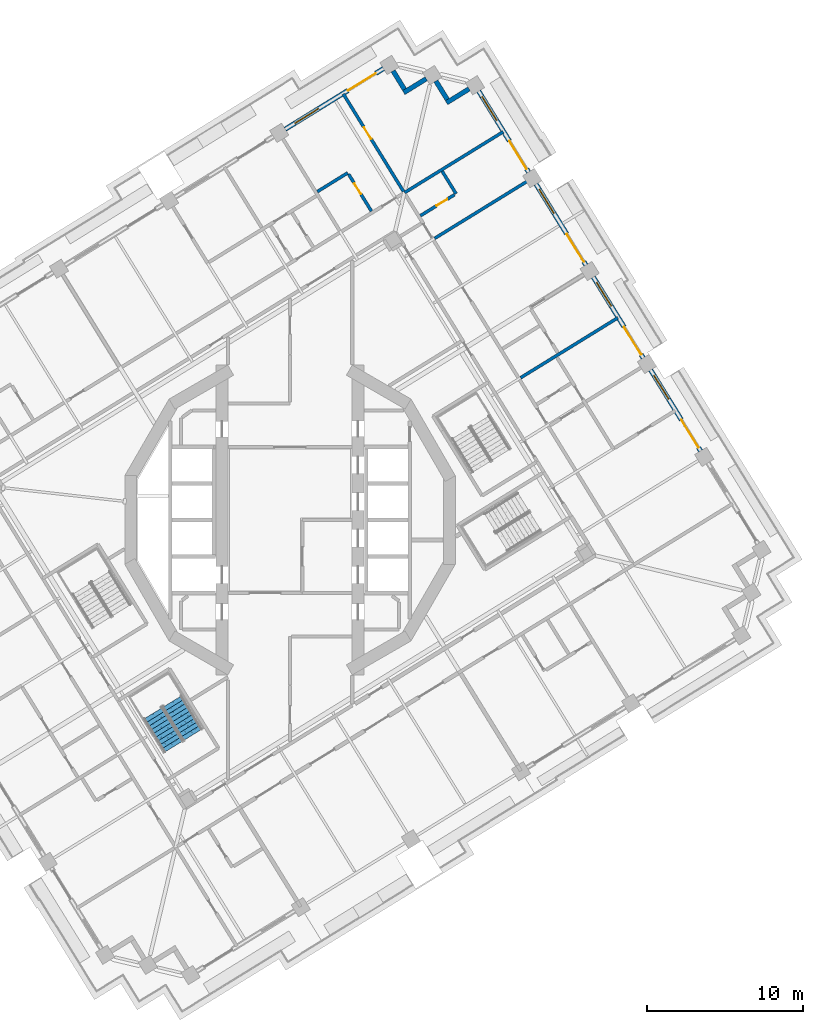
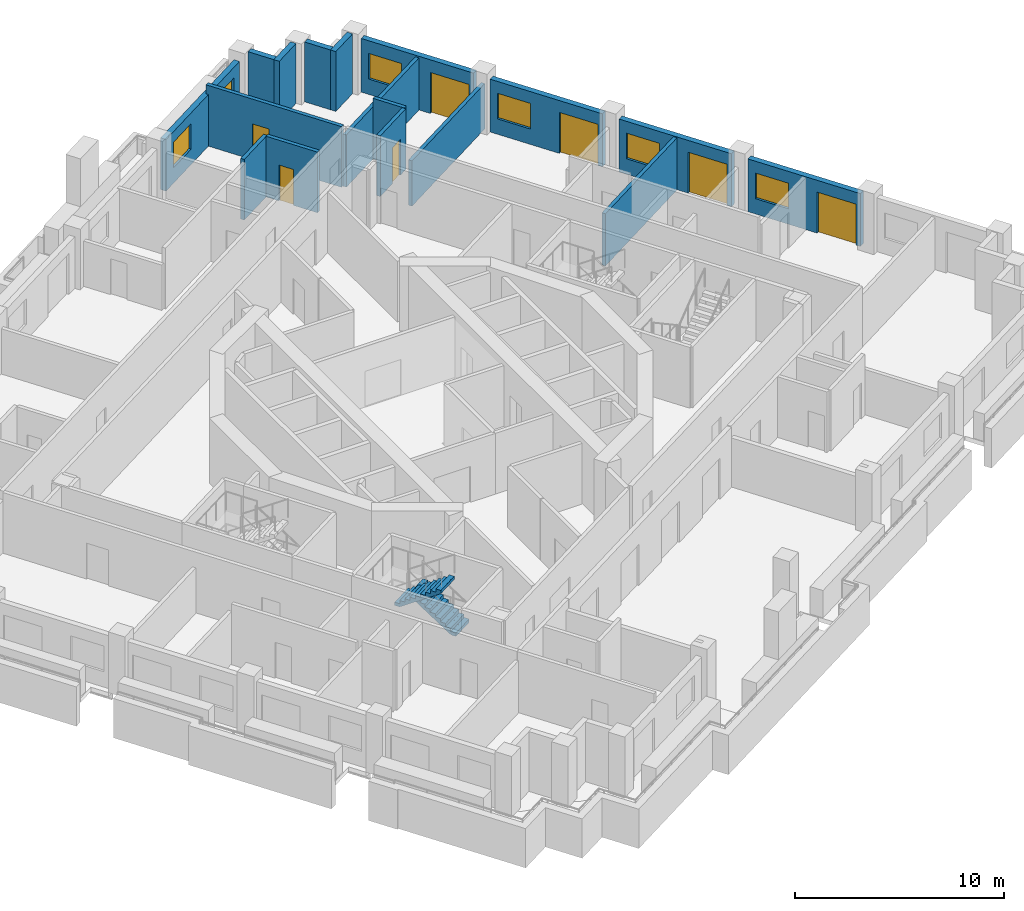
# One storey, part 10 of 21: 17 walls, 8 doors, 5 windows, 2 stair flights, 13 openings, 1 element without a shape of its own.
"""IFC4 building model written with IfcOpenShell, lengths in metres."""

from ifc_helpers import new_model, si_unit, direction, frame, frame_2d, origin, place, context, subcontext, project, spatial, polyline, rectangle, outline, extrude, material, layer, layer_set, type_object, element, fill, aggregate, save


model = new_model("IFC4")

# Units and contexts
model_context = context("Model", 3, precision=1e-05, world=origin(), true_north=direction((0.0, 1.0)))
body_context = subcontext(model_context, "Body", "Model", "MODEL_VIEW")
ifc_project = project(units=[si_unit("LENGTHUNIT", "METRE"), si_unit("AREAUNIT", "SQUARE_METRE"), si_unit("VOLUMEUNIT", "CUBIC_METRE"), si_unit("PLANEANGLEUNIT", "RADIAN"), si_unit("MASSUNIT", "GRAM", prefix="KILO")], contexts=[model_context])

# Site, building, storey
site_placement = place(None, origin())
site = spatial("IfcSite", under=ifc_project, at=site_placement, CompositionType="ELEMENT")
building_placement = place(site_placement, origin())
building = spatial("IfcBuilding", under=site, at=building_placement, Name="Cantera Rosa Tower", CompositionType="ELEMENT")
storey_placement = place(building_placement, frame((0.0, 0.0, 170.39990234375)))
storey = spatial("IfcBuildingStorey", under=building, at=storey_placement, Name="L37", CompositionType="ELEMENT", Elevation=170.39990234375)

# Walls
ifc_material_1 = material(Name="Hollow clay masonry with cantera stone cladding", Category="masonry")
ifc_layer_1 = layer(ifc_material_1, 0.300048828125)
ifc_layer_set_1 = layer_set([ifc_layer_1], Name="EW-LOGGIA 300")
wall_type_1 = type_object("IfcWallType", Name="EW-LOGGIA 300", PredefinedType="SOLIDWALL", material=ifc_layer_set_1)
wall_1_placement = place(storey_placement, frame((11.51123046875, 27.72021484375, 0.0), z_axis=(0.0, 0.0, 1.0), x_axis=(-0.851130227454, -0.524954603669, 0.0)))
element("IfcWall", 1, at=wall_1_placement, inside=storey, type_object=wall_type_1, Name="EN-L37-W06a", PredefinedType="SOLIDWALL", context=body_context, shape_type="SweptSolid", body=[
    extrude(rectangle(XDim=1.699951171875, YDim=0.300048828125, at=frame_2d((0.85009765625, 0.0))), origin(), (0.0, 0.0, 1.0), 3.5),
])
wall_2_placement = place(storey_placement, frame((10.11328125, 27.0341796875, 0.0), z_axis=(0.0, 0.0, 1.0), x_axis=(-0.524895019961, 0.85116697423, 0.0)))
element("IfcWall", 2, at=wall_2_placement, inside=storey, type_object=wall_type_1, Name="EN-L37-W06b", PredefinedType="SOLIDWALL", context=body_context, shape_type="SweptSolid", body=[
    extrude(rectangle(XDim=1.39990234375, YDim=0.300048828125, at=frame_2d((0.699951171875, 0.0))), origin(), (0.0, 0.0, 1.0), 3.5),
])
wall_3_placement = place(storey_placement, frame((8.75927734375, 28.37255859375, 0.0), z_axis=(0.0, 0.0, 1.0), x_axis=(-0.851105638601, -0.524994468487, 0.0)))
element("IfcWall", 3, at=wall_3_placement, inside=storey, type_object=wall_type_1, Name="EN-L37-W07a", PredefinedType="SOLIDWALL", context=body_context, shape_type="SweptSolid", body=[
    extrude(rectangle(XDim=1.7001953125, YDim=0.300048828125, at=frame_2d((0.85009765625, 0.0))), origin(), (0.0, 0.0, 1.0), 3.5),
])
wall_4_placement = place(storey_placement, frame((7.361083984375, 27.6865234375, 0.0), z_axis=(0.0, 0.0, 1.0), x_axis=(-0.524895019961, 0.85116697423, 0.0)))
element("IfcWall", 4, at=wall_4_placement, inside=storey, type_object=wall_type_1, Name="EN-L37-W07b", PredefinedType="SOLIDWALL", context=body_context, shape_type="SweptSolid", body=[
    extrude(rectangle(XDim=1.39990234375, YDim=0.300048828125, at=frame_2d((0.699951171875, 0.0))), origin(), (0.0, 0.0, 1.0), 3.5),
])

# Wall, openings, window, door
ifc_material_2 = material(Name="Hollow clay masonry with cantera stone cladding", Category="masonry")
ifc_layer_2 = layer(ifc_material_2, 0.300048828125)
ifc_layer_set_2 = layer_set([ifc_layer_2], Name="EW-LOGGIA 300 H3020")
wall_type_2 = type_object("IfcWallType", Name="EW-LOGGIA 300 H3020", PredefinedType="SOLIDWALL", material=ifc_layer_set_2)
wall_5_placement = place(storey_placement, frame((6.007080078125, 29.02490234375, 0.0), z_axis=(0.0, 0.0, 1.0), x_axis=(-0.851111085575, -0.524985637909, 0.0)))
wall_5 = element("IfcWall", 5, at=wall_5_placement, inside=storey, type_object=wall_type_2, Name="EN-L37-W08", PredefinedType="SOLIDWALL", context=body_context, shape_type="SweptSolid", body=[
    extrude(rectangle(XDim=7.420166015625, YDim=0.300048828125, at=frame_2d((3.7099609375, 0.0))), origin(), (0.0, 0.0, 1.0), 3.02001953125),
])
opening_1_placement = place(wall_5_placement, frame((0.580078125, 0.0, 0.0)))
opening_1 = element("IfcOpeningElement", 6, at=opening_1_placement, cuts=wall_5, Name="Opening L37-TD11", PredefinedType="OPENING", context=body_context, shape_type="SweptSolid", body=[
    extrude(rectangle(XDim=2.10009765625, YDim=2.39990234375, at=frame_2d((1.050048828125, 1.199951171875))), frame((0.0, 0.159912109375, 0.0), z_axis=(0.0, -1.0, 0.0), x_axis=(1.0, 0.0, 0.0)), (0.0, 0.0, 1.0), 0.320068359375),
])
opening_2_placement = place(wall_5_placement, frame((4.889892578125, 0.0, 0.89990234375)))
opening_2 = element("IfcOpeningElement", 7, at=opening_2_placement, cuts=wall_5, Name="Opening L37-W12", PredefinedType="OPENING", context=body_context, shape_type="SweptSolid", body=[
    extrude(rectangle(XDim=1.800048828125, YDim=1.5, at=frame_2d((0.89990234375, 0.75))), frame((0.0, 0.159912109375, 0.0), z_axis=(0.0, -1.0, 0.0), x_axis=(1.0, 0.0, 0.0)), (0.0, 0.0, 1.0), 0.320068359375),
])
ifc_material_3 = material(Name="Aluminium frame with clear glass", Category="aluminium")
window_type = type_object("IfcWindowType", Name="Hotel room window 1800x1500", PartitioningType="DOUBLE_PANEL_VERTICAL", PredefinedType="WINDOW", material=ifc_material_3)
window_1_placement = place(opening_2_placement, origin())
window_1 = element("IfcWindow", 8, at=window_1_placement, inside=storey, type_object=window_type, Name="WINDOW L37-W12", OverallHeight=1.5, OverallWidth=1.800048828125, PartitioningType="SINGLE_PANEL", PredefinedType="WINDOW", context=body_context, shape_type="SweptSolid", body=[
    extrude(rectangle(XDim=1.800048828125, YDim=1.5, at=frame_2d((0.89990234375, 0.75))), frame((0.0, 0.030029296875, 0.0), z_axis=(0.0, -1.0, 0.0), x_axis=(1.0, 0.0, 0.0)), (0.0, 0.0, 1.0), 0.06005859375),
])
fill(opening_2, window_1)
ifc_material_4 = material(Name="Aluminium frame with clear glass", Category="aluminium")
door_type_1 = type_object("IfcDoorType", Name="TD-H 2100x2400", OperationType="NOTDEFINED", PredefinedType="DOOR", material=ifc_material_4)
door_1_placement = place(opening_1_placement, origin())
door_1 = element("IfcDoor", 9, at=door_1_placement, inside=storey, type_object=door_type_1, Name="LOGGIA DOOR L37-TD11", OperationType="SLIDING_TO_LEFT", OverallHeight=2.39990234375, OverallWidth=2.10009765625, PredefinedType="DOOR", context=body_context, shape_type="SweptSolid", body=[
    extrude(rectangle(XDim=2.10009765625, YDim=2.39990234375, at=frame_2d((1.050048828125, 1.199951171875))), frame((0.0, 0.02490234375, 0.0), z_axis=(0.0, -1.0, 0.0), x_axis=(1.0, 0.0, 0.0)), (0.0, 0.0, 1.0), 0.050048828125),
])
fill(opening_1, door_1)

ifc_material_5 = material(Name="Hollow clay masonry with cantera stone cladding", Category="masonry")
ifc_layer_3 = layer(ifc_material_5, 0.300048828125)
ifc_layer_set_3 = layer_set([ifc_layer_3], Name="EW-LOGGIA 300 H3090")
wall_type_3 = type_object("IfcWallType", Name="EW-LOGGIA 300 H3090", PredefinedType="SOLIDWALL", material=ifc_layer_set_3)
wall_6_placement = place(storey_placement, frame((26.3994140625, 4.440185546875, 0.0), z_axis=(0.0, 0.0, 1.0), x_axis=(-0.524987447654, 0.851109969279, 0.0)))
wall_6 = element("IfcWall", 10, at=wall_6_placement, inside=storey, type_object=wall_type_3, Name="EN-L37-W02", PredefinedType="SOLIDWALL", context=body_context, shape_type="SweptSolid", body=[
    extrude(rectangle(XDim=6.119873046875, YDim=0.300048828125, at=frame_2d((3.06005859375, 0.0))), origin(), (0.0, 0.0, 1.0), 3.090087890625),
])
opening_3_placement = place(wall_6_placement, frame((0.2548828125, 0.0, 0.0)))
opening_3 = element("IfcOpeningElement", 11, at=opening_3_placement, cuts=wall_6, Name="Opening L37-TD03", PredefinedType="OPENING", context=body_context, shape_type="SweptSolid", body=[
    extrude(rectangle(XDim=2.10009765625, YDim=2.39990234375, at=frame_2d((1.050048828125, 1.199951171875))), frame((0.0, 0.159912109375, 0.0), z_axis=(0.0, -1.0, 0.0), x_axis=(1.0, 0.0, 0.0)), (0.0, 0.0, 1.0), 0.320068359375),
])
opening_4_placement = place(wall_6_placement, frame((3.9150390625, 0.0, 0.89990234375)))
opening_4 = element("IfcOpeningElement", 12, at=opening_4_placement, cuts=wall_6, Name="Opening L37-W04", PredefinedType="OPENING", context=body_context, shape_type="SweptSolid", body=[
    extrude(rectangle(XDim=1.800048828125, YDim=1.5, at=frame_2d((0.89990234375, 0.75))), frame((0.0, 0.159912109375, 0.0), z_axis=(0.0, -1.0, 0.0), x_axis=(1.0, 0.0, 0.0)), (0.0, 0.0, 1.0), 0.320068359375),
])
window_2_placement = place(opening_4_placement, origin())
window_2 = element("IfcWindow", 13, at=window_2_placement, inside=storey, type_object=window_type, Name="WINDOW L37-W04", OverallHeight=1.5, OverallWidth=1.800048828125, PartitioningType="SINGLE_PANEL", PredefinedType="WINDOW", context=body_context, shape_type="SweptSolid", body=[
    extrude(rectangle(XDim=1.800048828125, YDim=1.5, at=frame_2d((0.89990234375, 0.75))), frame((0.0, 0.030029296875, 0.0), z_axis=(0.0, -1.0, 0.0), x_axis=(1.0, 0.0, 0.0)), (0.0, 0.0, 1.0), 0.06005859375),
])
fill(opening_4, window_2)
door_2_placement = place(opening_3_placement, origin())
door_2 = element("IfcDoor", 14, at=door_2_placement, inside=storey, type_object=door_type_1, Name="LOGGIA DOOR L37-TD03", OperationType="SLIDING_TO_LEFT", OverallHeight=2.39990234375, OverallWidth=2.10009765625, PredefinedType="DOOR", context=body_context, shape_type="SweptSolid", body=[
    extrude(rectangle(XDim=2.10009765625, YDim=2.39990234375, at=frame_2d((1.050048828125, 1.199951171875))), frame((0.0, 0.02490234375, 0.0), z_axis=(0.0, -1.0, 0.0), x_axis=(1.0, 0.0, 0.0)), (0.0, 0.0, 1.0), 0.050048828125),
])
fill(opening_3, door_2)

wall_7_placement = place(storey_placement, frame((22.714111328125, 10.4150390625, 0.0), z_axis=(0.0, 0.0, 1.0), x_axis=(-0.524987447654, 0.851109969279, 0.0)))
wall_7 = element("IfcWall", 15, at=wall_7_placement, inside=storey, type_object=wall_type_3, Name="EN-L37-W03", PredefinedType="SOLIDWALL", context=body_context, shape_type="SweptSolid", body=[
    extrude(rectangle(XDim=6.119873046875, YDim=0.300048828125, at=frame_2d((3.06005859375, 0.0))), origin(), (0.0, 0.0, 1.0), 3.090087890625),
])
opening_5_placement = place(wall_7_placement, frame((0.2548828125, 0.0, 0.0)))
opening_5 = element("IfcOpeningElement", 16, at=opening_5_placement, cuts=wall_7, Name="Opening L37-TD05", PredefinedType="OPENING", context=body_context, shape_type="SweptSolid", body=[
    extrude(rectangle(XDim=2.10009765625, YDim=2.39990234375, at=frame_2d((1.050048828125, 1.199951171875))), frame((0.0, 0.159912109375, 0.0), z_axis=(0.0, -1.0, 0.0), x_axis=(1.0, 0.0, 0.0)), (0.0, 0.0, 1.0), 0.320068359375),
])
opening_6_placement = place(wall_7_placement, frame((3.9150390625, 0.0, 0.89990234375)))
opening_6 = element("IfcOpeningElement", 17, at=opening_6_placement, cuts=wall_7, Name="Opening L37-W06", PredefinedType="OPENING", context=body_context, shape_type="SweptSolid", body=[
    extrude(rectangle(XDim=1.800048828125, YDim=1.5, at=frame_2d((0.89990234375, 0.75))), frame((0.0, 0.159912109375, 0.0), z_axis=(0.0, -1.0, 0.0), x_axis=(1.0, 0.0, 0.0)), (0.0, 0.0, 1.0), 0.320068359375),
])
window_3_placement = place(opening_6_placement, origin())
window_3 = element("IfcWindow", 18, at=window_3_placement, inside=storey, type_object=window_type, Name="WINDOW L37-W06", OverallHeight=1.5, OverallWidth=1.800048828125, PartitioningType="SINGLE_PANEL", PredefinedType="WINDOW", context=body_context, shape_type="SweptSolid", body=[
    extrude(rectangle(XDim=1.800048828125, YDim=1.5, at=frame_2d((0.89990234375, 0.75))), frame((0.0, 0.030029296875, 0.0), z_axis=(0.0, -1.0, 0.0), x_axis=(1.0, 0.0, 0.0)), (0.0, 0.0, 1.0), 0.06005859375),
])
fill(opening_6, window_3)
door_3_placement = place(opening_5_placement, origin())
door_3 = element("IfcDoor", 19, at=door_3_placement, inside=storey, type_object=door_type_1, Name="LOGGIA DOOR L37-TD05", OperationType="SLIDING_TO_LEFT", OverallHeight=2.39990234375, OverallWidth=2.10009765625, PredefinedType="DOOR", context=body_context, shape_type="SweptSolid", body=[
    extrude(rectangle(XDim=2.10009765625, YDim=2.39990234375, at=frame_2d((1.050048828125, 1.199951171875))), frame((0.0, 0.02490234375, 0.0), z_axis=(0.0, -1.0, 0.0), x_axis=(1.0, 0.0, 0.0)), (0.0, 0.0, 1.0), 0.050048828125),
])
fill(opening_5, door_3)

wall_8_placement = place(storey_placement, frame((19.02880859375, 16.389892578125, 0.0), z_axis=(0.0, 0.0, 1.0), x_axis=(-0.524987447654, 0.851109969279, 0.0)))
wall_8 = element("IfcWall", 20, at=wall_8_placement, inside=storey, type_object=wall_type_3, Name="EN-L37-W04", PredefinedType="SOLIDWALL", context=body_context, shape_type="SweptSolid", body=[
    extrude(rectangle(XDim=6.119873046875, YDim=0.300048828125, at=frame_2d((3.06005859375, 0.0))), origin(), (0.0, 0.0, 1.0), 3.090087890625),
])
opening_7_placement = place(wall_8_placement, frame((0.2548828125, 0.0, 0.0)))
opening_7 = element("IfcOpeningElement", 21, at=opening_7_placement, cuts=wall_8, Name="Opening L37-TD07", PredefinedType="OPENING", context=body_context, shape_type="SweptSolid", body=[
    extrude(rectangle(XDim=2.10009765625, YDim=2.39990234375, at=frame_2d((1.050048828125, 1.199951171875))), frame((0.0, 0.159912109375, 0.0), z_axis=(0.0, -1.0, 0.0), x_axis=(1.0, 0.0, 0.0)), (0.0, 0.0, 1.0), 0.320068359375),
])
opening_8_placement = place(wall_8_placement, frame((3.9150390625, 0.0, 0.89990234375)))
opening_8 = element("IfcOpeningElement", 22, at=opening_8_placement, cuts=wall_8, Name="Opening L37-W08", PredefinedType="OPENING", context=body_context, shape_type="SweptSolid", body=[
    extrude(rectangle(XDim=1.800048828125, YDim=1.5, at=frame_2d((0.89990234375, 0.75))), frame((0.0, 0.159912109375, 0.0), z_axis=(0.0, -1.0, 0.0), x_axis=(1.0, 0.0, 0.0)), (0.0, 0.0, 1.0), 0.320068359375),
])
window_4_placement = place(opening_8_placement, origin())
window_4 = element("IfcWindow", 23, at=window_4_placement, inside=storey, type_object=window_type, Name="WINDOW L37-W08", OverallHeight=1.5, OverallWidth=1.800048828125, PartitioningType="SINGLE_PANEL", PredefinedType="WINDOW", context=body_context, shape_type="SweptSolid", body=[
    extrude(rectangle(XDim=1.800048828125, YDim=1.5, at=frame_2d((0.89990234375, 0.75))), frame((0.0, 0.030029296875, 0.0), z_axis=(0.0, -1.0, 0.0), x_axis=(1.0, 0.0, 0.0)), (0.0, 0.0, 1.0), 0.06005859375),
])
fill(opening_8, window_4)
door_4_placement = place(opening_7_placement, origin())
door_4 = element("IfcDoor", 24, at=door_4_placement, inside=storey, type_object=door_type_1, Name="LOGGIA DOOR L37-TD07", OperationType="SLIDING_TO_LEFT", OverallHeight=2.39990234375, OverallWidth=2.10009765625, PredefinedType="DOOR", context=body_context, shape_type="SweptSolid", body=[
    extrude(rectangle(XDim=2.10009765625, YDim=2.39990234375, at=frame_2d((1.050048828125, 1.199951171875))), frame((0.0, 0.02490234375, 0.0), z_axis=(0.0, -1.0, 0.0), x_axis=(1.0, 0.0, 0.0)), (0.0, 0.0, 1.0), 0.050048828125),
])
fill(opening_7, door_4)

ifc_material_6 = material(Name="Hollow clay masonry with cantera stone cladding", Category="masonry")
ifc_layer_4 = layer(ifc_material_6, 0.300048828125)
ifc_layer_set_4 = layer_set([ifc_layer_4], Name="EW-LOGGIA 300 H3140")
wall_type_4 = type_object("IfcWallType", Name="EW-LOGGIA 300 H3140", PredefinedType="SOLIDWALL", material=ifc_layer_set_4)
wall_9_placement = place(storey_placement, frame((15.343505859375, 22.36474609375, 0.0), z_axis=(0.0, 0.0, 1.0), x_axis=(-0.524987447654, 0.851109969279, 0.0)))
wall_9 = element("IfcWall", 25, at=wall_9_placement, inside=storey, type_object=wall_type_4, Name="EN-L37-W05", PredefinedType="SOLIDWALL", context=body_context, shape_type="SweptSolid", body=[
    extrude(rectangle(XDim=6.119873046875, YDim=0.300048828125, at=frame_2d((3.06005859375, 0.0))), origin(), (0.0, 0.0, 1.0), 3.14013671875),
])
opening_9_placement = place(wall_9_placement, frame((0.2548828125, 0.0, 0.0)))
opening_9 = element("IfcOpeningElement", 26, at=opening_9_placement, cuts=wall_9, Name="Opening L37-TD09", PredefinedType="OPENING", context=body_context, shape_type="SweptSolid", body=[
    extrude(rectangle(XDim=2.10009765625, YDim=2.39990234375, at=frame_2d((1.050048828125, 1.199951171875))), frame((0.0, 0.159912109375, 0.0), z_axis=(0.0, -1.0, 0.0), x_axis=(1.0, 0.0, 0.0)), (0.0, 0.0, 1.0), 0.320068359375),
])
opening_10_placement = place(wall_9_placement, frame((3.9150390625, 0.0, 0.89990234375)))
opening_10 = element("IfcOpeningElement", 27, at=opening_10_placement, cuts=wall_9, Name="Opening L37-W10", PredefinedType="OPENING", context=body_context, shape_type="SweptSolid", body=[
    extrude(rectangle(XDim=1.800048828125, YDim=1.5, at=frame_2d((0.89990234375, 0.75))), frame((0.0, 0.159912109375, 0.0), z_axis=(0.0, -1.0, 0.0), x_axis=(1.0, 0.0, 0.0)), (0.0, 0.0, 1.0), 0.320068359375),
])
window_5_placement = place(opening_10_placement, origin())
window_5 = element("IfcWindow", 28, at=window_5_placement, inside=storey, type_object=window_type, Name="WINDOW L37-W10", OverallHeight=1.5, OverallWidth=1.800048828125, PartitioningType="SINGLE_PANEL", PredefinedType="WINDOW", context=body_context, shape_type="SweptSolid", body=[
    extrude(rectangle(XDim=1.800048828125, YDim=1.5, at=frame_2d((0.89990234375, 0.75))), frame((0.0, 0.030029296875, 0.0), z_axis=(0.0, -1.0, 0.0), x_axis=(1.0, 0.0, 0.0)), (0.0, 0.0, 1.0), 0.06005859375),
])
fill(opening_10, window_5)
door_5_placement = place(opening_9_placement, origin())
door_5 = element("IfcDoor", 29, at=door_5_placement, inside=storey, type_object=door_type_1, Name="LOGGIA DOOR L37-TD09", OperationType="SLIDING_TO_LEFT", OverallHeight=2.39990234375, OverallWidth=2.10009765625, PredefinedType="DOOR", context=body_context, shape_type="SweptSolid", body=[
    extrude(rectangle(XDim=2.10009765625, YDim=2.39990234375, at=frame_2d((1.050048828125, 1.199951171875))), frame((0.0, 0.02490234375, 0.0), z_axis=(0.0, -1.0, 0.0), x_axis=(1.0, 0.0, 0.0)), (0.0, 0.0, 1.0), 0.050048828125),
])
fill(opening_9, door_5)

# Wall
ifc_material_7 = material(Name="Gypsum board partition")
ifc_layer_5 = layer(ifc_material_7, 0.199951171875)
ifc_layer_set_5 = layer_set([ifc_layer_5], Name="PARTITION 200 H3550")
wall_type_5 = type_object("IfcWallType", Name="PARTITION 200 H3550", PredefinedType="PARTITIONING", material=ifc_layer_set_5)
wall_10_placement = place(storey_placement, frame((1.756103515625, 21.11572265625, 0.0), z_axis=(0.0, 0.0, 1.0), x_axis=(0.851125818006, 0.524961752819, 0.0)))
element("IfcWall", 30, at=wall_10_placement, inside=storey, type_object=wall_type_5, Name="PARTITION L37-070", PredefinedType="PARTITIONING", context=body_context, shape_type="SweptSolid", body=[
    extrude(rectangle(XDim=2.30029296875, YDim=0.199951171875, at=frame_2d((1.150146484375, 0.0))), origin(), (0.0, 0.0, 1.0), 3.550048828125),
])

# Wall, opening, door
wall_11_placement = place(storey_placement, frame((3.766357421875, 22.238037109375, 0.0), z_axis=(0.0, 0.0, 1.0), x_axis=(0.5249339773, -0.851142948908, 0.0)))
wall_11 = element("IfcWall", 31, at=wall_11_placement, inside=storey, type_object=wall_type_5, Name="PARTITION L37-072", PredefinedType="PARTITIONING", context=body_context, shape_type="SweptSolid", body=[
    extrude(rectangle(XDim=2.7998046875, YDim=0.199951171875, at=frame_2d((1.39990234375, 0.0))), origin(), (0.0, 0.0, 1.0), 3.550048828125),
])
opening_11_placement = place(wall_11_placement, frame((0.699951171875, 0.0, 0.0)))
opening_11 = element("IfcOpeningElement", 32, at=opening_11_placement, cuts=wall_11, Name="Opening L37-040", PredefinedType="OPENING", context=body_context, shape_type="SweptSolid", body=[
    extrude(rectangle(XDim=0.800048828125, YDim=2.10009765625, at=frame_2d((0.39990234375, 1.050048828125))), frame((0.0, 0.10986328125, 0.0), z_axis=(0.0, -1.0, 0.0), x_axis=(1.0, 0.0, 0.0)), (0.0, 0.0, 1.0), 0.219970703125),
])
ifc_material_8 = material(Name="Timber door leaf", Category="wood")
door_type_2 = type_object("IfcDoorType", Name="BATHROOM DOOR 800x2100", OperationType="NOTDEFINED", PredefinedType="DOOR", material=ifc_material_8)
door_6_placement = place(opening_11_placement, origin())
door_6 = element("IfcDoor", 33, at=door_6_placement, inside=storey, type_object=door_type_2, Name="DOOR L37-040", OperationType="NOTDEFINED", OverallHeight=2.10009765625, OverallWidth=0.800048828125, PredefinedType="DOOR", context=body_context, shape_type="SweptSolid", body=[
    extrude(rectangle(XDim=0.800048828125, YDim=2.10009765625, at=frame_2d((0.39990234375, 1.050048828125))), frame((0.0, 0.02490234375, 0.0), z_axis=(0.0, -1.0, 0.0), x_axis=(1.0, 0.0, 0.0)), (0.0, 0.0, 1.0), 0.050048828125),
])
fill(opening_11, door_6)

wall_12_placement = place(storey_placement, frame((7.2958984375, 21.12548828125, 0.0), z_axis=(0.0, 0.0, 1.0), x_axis=(-0.52498429839, 0.851111911821, 0.0)))
wall_12 = element("IfcWall", 34, at=wall_12_placement, inside=storey, type_object=wall_type_5, Name="PARTITION L37-090", PredefinedType="PARTITIONING", context=body_context, shape_type="SweptSolid", body=[
    extrude(rectangle(XDim=7.3701171875, YDim=0.199951171875, at=frame_2d((3.68505859375, 0.0))), origin(), (0.0, 0.0, 1.0), 3.550048828125),
])
opening_12_placement = place(wall_12_placement, frame((3.949951171875, 0.0, 0.0)))
opening_12 = element("IfcOpeningElement", 35, at=opening_12_placement, cuts=wall_12, Name="Opening L37-041", PredefinedType="OPENING", context=body_context, shape_type="SweptSolid", body=[
    extrude(rectangle(XDim=0.89990234375, YDim=2.10009765625, at=frame_2d((0.449951171875, 1.050048828125))), frame((0.0, 0.10986328125, 0.0), z_axis=(0.0, -1.0, 0.0), x_axis=(1.0, 0.0, 0.0)), (0.0, 0.0, 1.0), 0.219970703125),
])
ifc_material_9 = material(Name="Timber door leaf", Category="wood")
door_type_3 = type_object("IfcDoorType", Name="ROOM DOOR 900x2100", OperationType="NOTDEFINED", PredefinedType="DOOR", material=ifc_material_9)
door_7_placement = place(opening_12_placement, origin())
door_7 = element("IfcDoor", 36, at=door_7_placement, inside=storey, type_object=door_type_3, Name="DOOR L37-041", OperationType="NOTDEFINED", OverallHeight=2.10009765625, OverallWidth=0.89990234375, PredefinedType="DOOR", context=body_context, shape_type="SweptSolid", body=[
    extrude(rectangle(XDim=0.89990234375, YDim=2.10009765625, at=frame_2d((0.449951171875, 1.050048828125))), frame((0.0, 0.02490234375, 0.0), z_axis=(0.0, -1.0, 0.0), x_axis=(1.0, 0.0, 0.0)), (0.0, 0.0, 1.0), 0.050048828125),
])
fill(opening_12, door_7)

# Wall
wall_13_placement = place(storey_placement, frame((9.783935546875, 22.425048828125, 0.0), z_axis=(0.0, 0.0, 1.0), x_axis=(0.525058638144, -0.851066052965, 0.0)))
element("IfcWall", 37, at=wall_13_placement, inside=storey, type_object=wall_type_5, Name="PARTITION L37-099", PredefinedType="PARTITIONING", context=body_context, shape_type="SweptSolid", body=[
    extrude(rectangle(XDim=1.699951171875, YDim=0.199951171875, at=frame_2d((0.85009765625, 0.0))), origin(), (0.0, 0.0, 1.0), 3.550048828125),
])

# Wall, opening, door
wall_14_placement = place(storey_placement, frame((10.57421875, 20.915283203125, 0.0), z_axis=(0.0, 0.0, 1.0), x_axis=(-0.851098989685, -0.525005247362, 0.0)))
wall_14 = element("IfcWall", 38, at=wall_14_placement, inside=storey, type_object=wall_type_5, Name="PARTITION L37-101", PredefinedType="PARTITIONING", context=body_context, shape_type="SweptSolid", body=[
    extrude(rectangle(XDim=2.580078125, YDim=0.199951171875, at=frame_2d((1.2900390625, 0.0))), origin(), (0.0, 0.0, 1.0), 3.550048828125),
])
opening_13_placement = place(wall_14_placement, frame((0.5439453125, 0.0, 0.0)))
opening_13 = element("IfcOpeningElement", 39, at=opening_13_placement, cuts=wall_14, Name="Opening L37-031", PredefinedType="OPENING", context=body_context, shape_type="SweptSolid", body=[
    extrude(rectangle(XDim=0.800048828125, YDim=2.10009765625, at=frame_2d((0.39990234375, 1.050048828125))), frame((0.0, 0.10986328125, 0.0), z_axis=(0.0, -1.0, 0.0), x_axis=(1.0, 0.0, 0.0)), (0.0, 0.0, 1.0), 0.219970703125),
])
door_8_placement = place(opening_13_placement, origin())
door_8 = element("IfcDoor", 40, at=door_8_placement, inside=storey, type_object=door_type_2, Name="DOOR L37-031", OperationType="NOTDEFINED", OverallHeight=2.10009765625, OverallWidth=0.800048828125, PredefinedType="DOOR", context=body_context, shape_type="SweptSolid", body=[
    extrude(rectangle(XDim=0.800048828125, YDim=2.10009765625, at=frame_2d((0.39990234375, 1.050048828125))), frame((0.0, 0.02490234375, 0.0), z_axis=(0.0, -1.0, 0.0), x_axis=(1.0, 0.0, 0.0)), (0.0, 0.0, 1.0), 0.050048828125),
])
fill(opening_13, door_8)

# Walls
ifc_material_10 = material(Name="Gypsum board partition")
ifc_layer_6 = layer(ifc_material_10, 0.199951171875)
ifc_layer_set_6 = layer_set([ifc_layer_6], Name="PARTY WALL 200 H2650")
wall_type_6 = type_object("IfcWallType", Name="PARTY WALL 200 H2650", PredefinedType="PARTITIONING", material=ifc_layer_set_6)
wall_15_placement = place(storey_placement, frame((9.29833984375, 18.107421875, 0.0), z_axis=(0.0, 0.0, 1.0), x_axis=(0.851133272812, 0.524949666075, 0.0)))
element("IfcWall", 41, at=wall_15_placement, inside=storey, type_object=wall_type_6, Name="PARTY WALL L37-098", PredefinedType="PARTITIONING", context=body_context, shape_type="SweptSolid", body=[
    extrude(rectangle(XDim=7.35009765625, YDim=0.199951171875, at=frame_2d((3.675048828125, 0.0))), origin(), (0.0, 0.0, 1.0), 2.650146484375),
])
ifc_material_11 = material(Name="Gypsum board partition")
ifc_layer_7 = layer(ifc_material_11, 0.199951171875)
ifc_layer_set_7 = layer_set([ifc_layer_7], Name="PARTY WALL 200 H3050")
wall_type_7 = type_object("IfcWallType", Name="PARTY WALL 200 H3050", PredefinedType="PARTITIONING", material=ifc_layer_set_7)
wall_16_placement = place(storey_placement, frame((7.365478515625, 21.05078125, 0.0), z_axis=(0.0, 0.0, 1.0), x_axis=(0.851113277303, 0.524982084645, 0.0)))
element("IfcWall", 42, at=wall_16_placement, inside=storey, type_object=wall_type_7, Name="PARTY WALL L37-091", PredefinedType="PARTITIONING", context=body_context, shape_type="SweptSolid", body=[
    extrude(rectangle(XDim=7.449951171875, YDim=0.199951171875, at=frame_2d((3.72509765625, 0.0))), origin(), (0.0, 0.0, 1.0), 3.050048828125),
])
wall_17_placement = place(storey_placement, frame((14.826416015625, 9.14501953125, 0.0), z_axis=(0.0, 0.0, 1.0), x_axis=(0.851118431638, 0.524973728225, 0.0)))
element("IfcWall", 43, at=wall_17_placement, inside=storey, type_object=wall_type_7, Name="PARTY WALL L37-109", PredefinedType="PARTITIONING", context=body_context, shape_type="SweptSolid", body=[
    extrude(rectangle(XDim=7.35009765625, YDim=0.199951171875, at=frame_2d((3.675048828125, 0.0))), origin(), (0.0, 0.0, 1.0), 3.050048828125),
])

# Stair, stair flights
ifc_material_12 = material(Name="Concrete C35/45", Category="concrete")
stair_type = type_object("IfcStairType", Name="EXIT STAIR 1350 DOGLEG", PredefinedType="HALF_TURN_STAIR", material=ifc_material_12)
stair_placement = place(storey_placement, origin())
stair = element("IfcStair", 44, at=stair_placement, inside=storey, type_object=stair_type, Name="L37 ST-33", PredefinedType="HALF_TURN_STAIR")
ifc_material_13 = material(Name="Concrete C35/45", Category="concrete")
stair_flight_type = type_object("IfcStairFlightType", Name="STAIR FLIGHT 1350 R20x190", PredefinedType="STRAIGHT", material=ifc_material_13)
stair_flight_1_placement = place(storey_placement, frame((-6.226806640625, -13.7978515625, 0.0), z_axis=(0.0, 0.0, 1.0), x_axis=(-0.524976585286, 0.851116669383, 0.0)))
stair_flight_1 = element("IfcStairFlight", 45, at=stair_flight_1_placement, type_object=stair_flight_type, Name="ST-33 flight 1", NumberOfRisers=10, NumberOfTreads=9, PredefinedType="STRAIGHT", RiserHeight=0.19, TreadLength=0.28, context=body_context, shape_type="SweptSolid", body=[
    extrude(outline(polyline([(0.0, 0.0), (0.0, 0.18994140625), (0.280029296875, 0.18994140625), (0.280029296875, 0.3798828125), (0.56005859375, 0.3798828125), (0.56005859375, 0.570068359375), (0.840087890625, 0.570068359375), (0.840087890625, 0.760009765625), (1.1201171875, 0.760009765625), (1.1201171875, 0.949951171875), (1.39990234375, 0.949951171875), (1.39990234375, 1.139892578125), (1.679931640625, 1.139892578125), (1.679931640625, 1.330078125), (1.9599609375, 1.330078125), (1.9599609375, 1.52001953125), (2.239990234375, 1.52001953125), (2.239990234375, 1.7099609375), (2.52001953125, 1.7099609375), (2.52001953125, 1.89990234375), (2.52001953125, 1.52880859375), (0.266845703125, 0.0), (0.0, 0.0)])), frame((0.0, 0.675048828125, 0.0), z_axis=(0.0, -1.0, 0.0), x_axis=(1.0, 0.0, 0.0)), (0.0, 0.0, 1.0), 0.3359375),
    extrude(outline(polyline([(0.0, 0.0), (0.0, 0.18994140625), (0.280029296875, 0.18994140625), (0.280029296875, 0.3798828125), (0.56005859375, 0.3798828125), (0.56005859375, 0.570068359375), (0.840087890625, 0.570068359375), (0.840087890625, 0.760009765625), (1.1201171875, 0.760009765625), (1.1201171875, 0.949951171875), (1.39990234375, 0.949951171875), (1.39990234375, 1.139892578125), (1.679931640625, 1.139892578125), (1.679931640625, 1.330078125), (1.9599609375, 1.330078125), (1.9599609375, 1.52001953125), (2.239990234375, 1.52001953125), (2.239990234375, 1.7099609375), (2.52001953125, 1.7099609375), (2.52001953125, 1.89990234375), (2.52001953125, 1.52880859375), (0.266845703125, 0.0), (0.0, 0.0)])), frame((0.0, 0.337158203125, 0.0), z_axis=(0.0, -1.0, 0.0), x_axis=(1.0, 0.0, 0.0)), (0.0, 0.0, 1.0), 0.3359375),
    extrude(outline(polyline([(0.0, 0.0), (0.0, 0.18994140625), (0.280029296875, 0.18994140625), (0.280029296875, 0.3798828125), (0.56005859375, 0.3798828125), (0.56005859375, 0.570068359375), (0.840087890625, 0.570068359375), (0.840087890625, 0.760009765625), (1.1201171875, 0.760009765625), (1.1201171875, 0.949951171875), (1.39990234375, 0.949951171875), (1.39990234375, 1.139892578125), (1.679931640625, 1.139892578125), (1.679931640625, 1.330078125), (1.9599609375, 1.330078125), (1.9599609375, 1.52001953125), (2.239990234375, 1.52001953125), (2.239990234375, 1.7099609375), (2.52001953125, 1.7099609375), (2.52001953125, 1.89990234375), (2.52001953125, 1.52880859375), (0.266845703125, 0.0), (0.0, 0.0)])), frame((0.0, -0.000732421875, 0.0), z_axis=(0.0, -1.0, 0.0), x_axis=(1.0, 0.0, 0.0)), (0.0, 0.0, 1.0), 0.3359375),
    extrude(outline(polyline([(0.0, 0.0), (0.0, 0.18994140625), (0.280029296875, 0.18994140625), (0.280029296875, 0.3798828125), (0.56005859375, 0.3798828125), (0.56005859375, 0.570068359375), (0.840087890625, 0.570068359375), (0.840087890625, 0.760009765625), (1.1201171875, 0.760009765625), (1.1201171875, 0.949951171875), (1.39990234375, 0.949951171875), (1.39990234375, 1.139892578125), (1.679931640625, 1.139892578125), (1.679931640625, 1.330078125), (1.9599609375, 1.330078125), (1.9599609375, 1.52001953125), (2.239990234375, 1.52001953125), (2.239990234375, 1.7099609375), (2.52001953125, 1.7099609375), (2.52001953125, 1.89990234375), (2.52001953125, 1.52880859375), (0.266845703125, 0.0), (0.0, 0.0)])), frame((0.0, -0.338623046875, 0.0), z_axis=(0.0, -1.0, 0.0), x_axis=(1.0, 0.0, 0.0)), (0.0, 0.0, 1.0), 0.3359375),
])
stair_flight_2_placement = place(storey_placement, frame((-8.826416015625, -12.4404296875, 1.900146484375), z_axis=(0.0, 0.0, 1.0), x_axis=(0.524976585286, -0.851116669383, 0.0)))
stair_flight_2 = element("IfcStairFlight", 46, at=stair_flight_2_placement, type_object=stair_flight_type, Name="ST-33 flight 2", NumberOfRisers=10, NumberOfTreads=9, PredefinedType="STRAIGHT", RiserHeight=0.19, TreadLength=0.28, context=body_context, shape_type="SweptSolid", body=[
    extrude(outline(polyline([(0.0, 0.0), (0.0, 0.18994140625), (0.280029296875, 0.18994140625), (0.280029296875, 0.3798828125), (0.56005859375, 0.3798828125), (0.56005859375, 0.570068359375), (0.840087890625, 0.570068359375), (0.840087890625, 0.760009765625), (1.1201171875, 0.760009765625), (1.1201171875, 0.949951171875), (1.39990234375, 0.949951171875), (1.39990234375, 1.139892578125), (1.679931640625, 1.139892578125), (1.679931640625, 1.330078125), (1.9599609375, 1.330078125), (1.9599609375, 1.52001953125), (2.239990234375, 1.52001953125), (2.239990234375, 1.7099609375), (2.52001953125, 1.7099609375), (2.52001953125, 1.89990234375), (2.52001953125, 1.52880859375), (0.266845703125, 0.0), (0.0, 0.0)])), frame((0.0, 0.675048828125, 0.0), z_axis=(0.0, -1.0, 0.0), x_axis=(1.0, 0.0, 0.0)), (0.0, 0.0, 1.0), 0.3359375),
    extrude(outline(polyline([(0.0, 0.0), (0.0, 0.18994140625), (0.280029296875, 0.18994140625), (0.280029296875, 0.3798828125), (0.56005859375, 0.3798828125), (0.56005859375, 0.570068359375), (0.840087890625, 0.570068359375), (0.840087890625, 0.760009765625), (1.1201171875, 0.760009765625), (1.1201171875, 0.949951171875), (1.39990234375, 0.949951171875), (1.39990234375, 1.139892578125), (1.679931640625, 1.139892578125), (1.679931640625, 1.330078125), (1.9599609375, 1.330078125), (1.9599609375, 1.52001953125), (2.239990234375, 1.52001953125), (2.239990234375, 1.7099609375), (2.52001953125, 1.7099609375), (2.52001953125, 1.89990234375), (2.52001953125, 1.52880859375), (0.266845703125, 0.0), (0.0, 0.0)])), frame((0.0, 0.337158203125, 0.0), z_axis=(0.0, -1.0, 0.0), x_axis=(1.0, 0.0, 0.0)), (0.0, 0.0, 1.0), 0.3359375),
    extrude(outline(polyline([(0.0, 0.0), (0.0, 0.18994140625), (0.280029296875, 0.18994140625), (0.280029296875, 0.3798828125), (0.56005859375, 0.3798828125), (0.56005859375, 0.570068359375), (0.840087890625, 0.570068359375), (0.840087890625, 0.760009765625), (1.1201171875, 0.760009765625), (1.1201171875, 0.949951171875), (1.39990234375, 0.949951171875), (1.39990234375, 1.139892578125), (1.679931640625, 1.139892578125), (1.679931640625, 1.330078125), (1.9599609375, 1.330078125), (1.9599609375, 1.52001953125), (2.239990234375, 1.52001953125), (2.239990234375, 1.7099609375), (2.52001953125, 1.7099609375), (2.52001953125, 1.89990234375), (2.52001953125, 1.52880859375), (0.266845703125, 0.0), (0.0, 0.0)])), frame((0.0, -0.000732421875, 0.0), z_axis=(0.0, -1.0, 0.0), x_axis=(1.0, 0.0, 0.0)), (0.0, 0.0, 1.0), 0.3359375),
    extrude(outline(polyline([(0.0, 0.0), (0.0, 0.18994140625), (0.280029296875, 0.18994140625), (0.280029296875, 0.3798828125), (0.56005859375, 0.3798828125), (0.56005859375, 0.570068359375), (0.840087890625, 0.570068359375), (0.840087890625, 0.760009765625), (1.1201171875, 0.760009765625), (1.1201171875, 0.949951171875), (1.39990234375, 0.949951171875), (1.39990234375, 1.139892578125), (1.679931640625, 1.139892578125), (1.679931640625, 1.330078125), (1.9599609375, 1.330078125), (1.9599609375, 1.52001953125), (2.239990234375, 1.52001953125), (2.239990234375, 1.7099609375), (2.52001953125, 1.7099609375), (2.52001953125, 1.89990234375), (2.52001953125, 1.52880859375), (0.266845703125, 0.0), (0.0, 0.0)])), frame((0.0, -0.338623046875, 0.0), z_axis=(0.0, -1.0, 0.0), x_axis=(1.0, 0.0, 0.0)), (0.0, 0.0, 1.0), 0.3359375),
])
aggregate(stair, [stair_flight_1, stair_flight_2])

save(model, "model.ifc")
